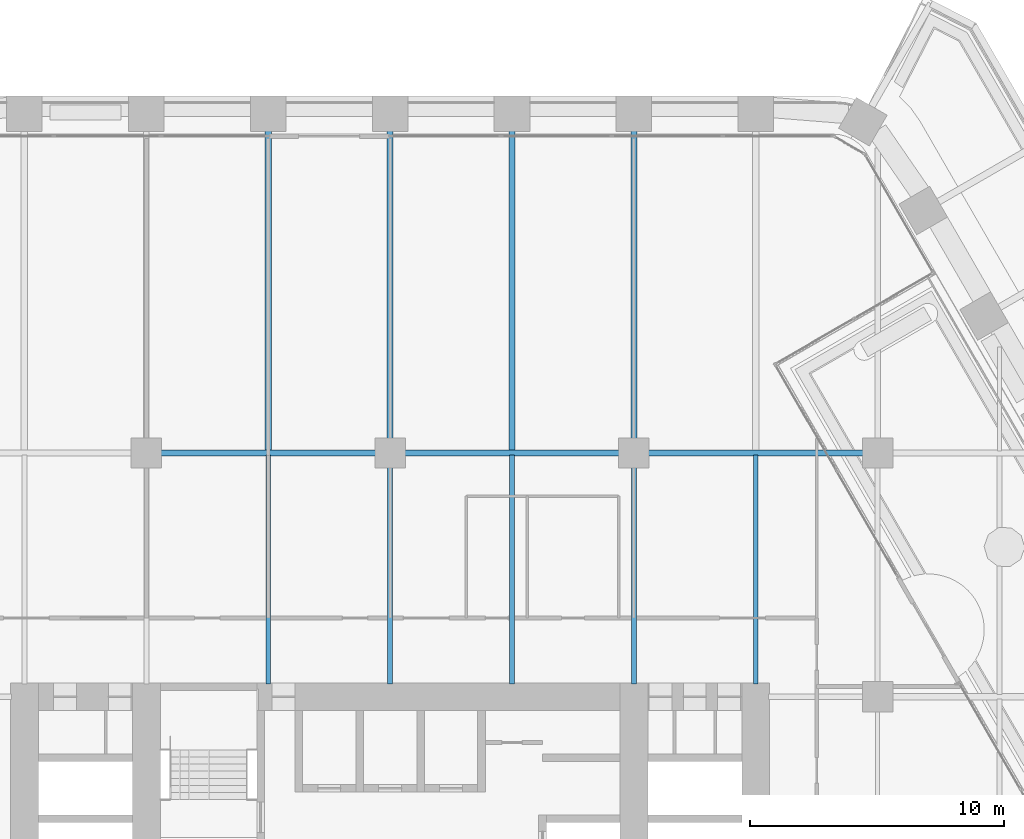
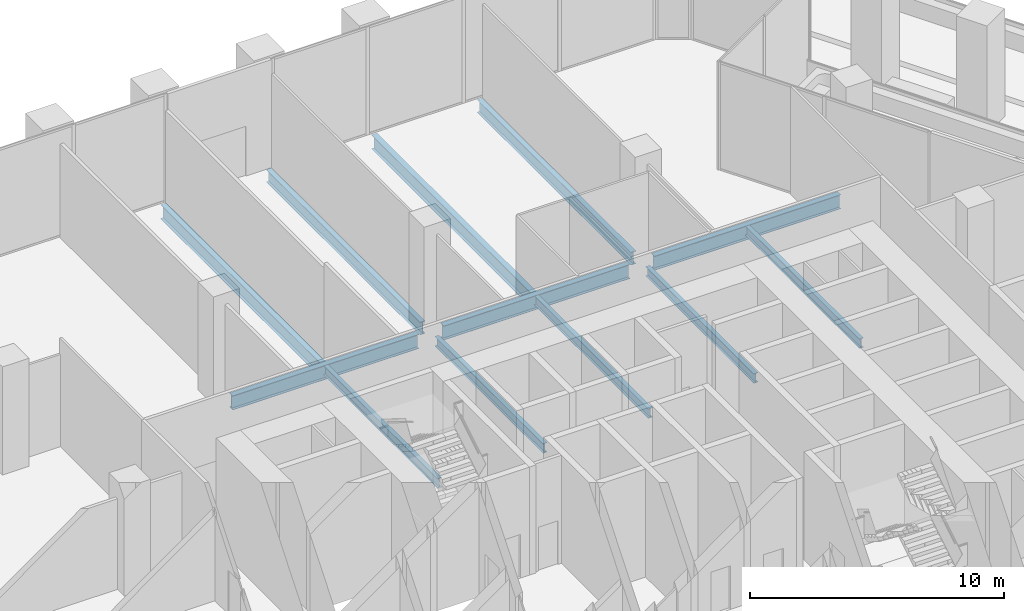
# One storey, part 11 of 32: 12 beams.
"""IFC4 building model written with IfcOpenShell, lengths in metres."""

from ifc_helpers import new_model, si_unit, direction, frame, origin, origin_2d, place, context, subcontext, project, spatial, i_section, extrude, material, material_profile, profile_set, type_object, element, save


model = new_model("IFC4")

# Units and contexts
model_context = context("Model", 3, precision=1e-05, world=origin(), true_north=direction((0.0, 1.0)))
body_context = subcontext(model_context, "Body", "Model", "MODEL_VIEW")
ifc_project = project(units=[si_unit("LENGTHUNIT", "METRE"), si_unit("AREAUNIT", "SQUARE_METRE"), si_unit("VOLUMEUNIT", "CUBIC_METRE"), si_unit("PLANEANGLEUNIT", "RADIAN"), si_unit("MASSUNIT", "GRAM", prefix="KILO")], contexts=[model_context])

# Site, building, storey
site_placement = place(None, origin())
site = spatial("IfcSite", under=ifc_project, at=site_placement, CompositionType="ELEMENT")
building_placement = place(site_placement, origin())
building = spatial("IfcBuilding", under=site, at=building_placement, Name="Kolab Exchange Tower", CompositionType="ELEMENT")
storey_placement = place(building_placement, frame((0.0, 0.0, 60.89990234375)))
storey = spatial("IfcBuildingStorey", under=building, at=storey_placement, Name="L11", CompositionType="ELEMENT", Elevation=60.89990234375)

# Beams
ifc_material = material(Name="Steel S355", Category="steel")
ifc_material_profile_1 = material_profile(ifc_material, i_section(OverallWidth=0.18994140625, OverallDepth=0.45703125, WebThickness=0.009033203125, FlangeThickness=0.014404296875, at=origin_2d()), Name="W460X74")
ifc_profile_set_1 = profile_set([ifc_material_profile_1], Name="Steel S355")
beam_type_1 = type_object("IfcBeamType", Name="FLOOR BEAM W460X74", PredefinedType="BEAM", material=ifc_profile_set_1)
beam_1_placement = place(storey_placement, frame((-4.800048828125, 10.110107421875, -0.478515625), z_axis=(0.0, 1.0, 0.0), x_axis=(-1.0, 0.0, 0.0)))
element("IfcBeam", 1, at=beam_1_placement, inside=storey, type_object=beam_type_1, Name="beam/L11/fr/028", PredefinedType="BEAM", context=body_context, shape_type="SweptSolid", body=[
    extrude(i_section(OverallWidth=0.18994140625, OverallDepth=0.45703125, WebThickness=0.009033203125, FlangeThickness=0.014404296875, at=origin_2d()), origin(), (0.0, 0.0, 1.0), 9.0029296875),
])
beam_2_placement = place(storey_placement, frame((0.0, 10.110107421875, -0.478515625), z_axis=(0.0, 1.0, 0.0), x_axis=(-1.0, 0.0, 0.0)))
element("IfcBeam", 2, at=beam_2_placement, inside=storey, type_object=beam_type_1, Name="beam/L11/fr/032", PredefinedType="BEAM", context=body_context, shape_type="SweptSolid", body=[
    extrude(i_section(OverallWidth=0.18994140625, OverallDepth=0.45703125, WebThickness=0.009033203125, FlangeThickness=0.014404296875, at=origin_2d()), origin(), (0.0, 0.0, 1.0), 8.52978515625),
])
beam_3_placement = place(storey_placement, frame((4.800048828125, 10.110107421875, -0.478515625), z_axis=(0.0, 1.0, 0.0), x_axis=(-1.0, 0.0, 0.0)))
element("IfcBeam", 3, at=beam_3_placement, inside=storey, type_object=beam_type_1, Name="beam/L11/fr/036", PredefinedType="BEAM", context=body_context, shape_type="SweptSolid", body=[
    extrude(i_section(OverallWidth=0.18994140625, OverallDepth=0.45703125, WebThickness=0.009033203125, FlangeThickness=0.014404296875, at=origin_2d()), origin(), (0.0, 0.0, 1.0), 9.0029296875),
])
beam_4_placement = place(storey_placement, frame((9.60009765625, 10.110107421875, -0.478515625), z_axis=(0.0, 1.0, 0.0), x_axis=(-1.0, 0.0, 0.0)))
element("IfcBeam", 4, at=beam_4_placement, inside=storey, type_object=beam_type_1, Name="beam/L11/fr/040", PredefinedType="BEAM", context=body_context, shape_type="SweptSolid", body=[
    extrude(i_section(OverallWidth=0.18994140625, OverallDepth=0.45703125, WebThickness=0.009033203125, FlangeThickness=0.014404296875, at=origin_2d()), origin(), (0.0, 0.0, 1.0), 8.52978515625),
])
beam_5_placement = place(storey_placement, frame((14.39990234375, 10.110107421875, -0.478515625), z_axis=(0.0, 1.0, 0.0), x_axis=(-1.0, 0.0, 0.0)))
element("IfcBeam", 5, at=beam_5_placement, inside=storey, type_object=beam_type_1, Name="beam/L11/fr/044", PredefinedType="BEAM", context=body_context, shape_type="SweptSolid", body=[
    extrude(i_section(OverallWidth=0.18994140625, OverallDepth=0.45703125, WebThickness=0.009033203125, FlangeThickness=0.014404296875, at=origin_2d()), origin(), (0.0, 0.0, 1.0), 9.0029296875),
])
ifc_material_profile_2 = material_profile(ifc_material, i_section(OverallWidth=0.22802734375, OverallDepth=0.60791015625, WebThickness=0.01123046875, FlangeThickness=0.017333984375, at=origin_2d()), Name="W610X113")
ifc_profile_set_2 = profile_set([ifc_material_profile_2], Name="Steel S355")
beam_type_2 = type_object("IfcBeamType", Name="FLOOR BEAM W610X113", PredefinedType="BEAM", material=ifc_profile_set_2)
for number, where, z_axis, x_axis, name in (
    (6, (0.0, 19.760009765625, -0.553955078125), (0.0, 1.0, 0.0), (-1.0, 0.0, 0.0), "beam/L11/fr/033"),
    (7, (9.60009765625, 19.760009765625, -0.553955078125), (0.0, 1.0, 0.0), (-1.0, 0.0, 0.0), "beam/L11/fr/041"),
):
    element("IfcBeam", number, at=place(storey_placement, frame(where, z_axis=z_axis, x_axis=x_axis)), inside=storey, type_object=beam_type_2, Name=name, PredefinedType="BEAM", context=body_context, shape_type="SweptSolid", body=[
        extrude(i_section(OverallWidth=0.22802734375, OverallDepth=0.60791015625, WebThickness=0.01123046875, FlangeThickness=0.017333984375, at=origin_2d()), origin(), (0.0, 0.0, 1.0), 12.135498046875),
    ])
ifc_material_profile_3 = material_profile(ifc_material, i_section(OverallWidth=0.25390625, OverallDepth=0.68408203125, WebThickness=0.012451171875, FlangeThickness=0.018798828125, at=origin_2d()), Name="W690X140")
ifc_profile_set_3 = profile_set([ifc_material_profile_3], Name="Steel S355")
beam_type_3 = type_object("IfcBeamType", Name="FLOOR BEAM W690X140", PredefinedType="BEAM", material=ifc_profile_set_3)
for number, where, z_axis, x_axis, name in (
    (8, (-4.800048828125, 19.287109375, -0.591796875), (0.0, 1.0, 0.0), (-1.0, 0.0, 0.0), "beam/L11/fr/029"),
    (9, (4.800048828125, 19.287109375, -0.591796875), (0.0, 1.0, 0.0), (-1.0, 0.0, 0.0), "beam/L11/fr/037"),
):
    element("IfcBeam", number, at=place(storey_placement, frame(where, z_axis=z_axis, x_axis=x_axis)), inside=storey, type_object=beam_type_3, Name=name, PredefinedType="BEAM", context=body_context, shape_type="SweptSolid", body=[
        extrude(i_section(OverallWidth=0.25390625, OverallDepth=0.68408203125, WebThickness=0.012451171875, FlangeThickness=0.018798828125, at=origin_2d()), origin(), (0.0, 0.0, 1.0), 12.6083984375),
    ])
ifc_material_profile_4 = material_profile(ifc_material, i_section(OverallWidth=0.25390625, OverallDepth=0.68408203125, WebThickness=0.012451171875, FlangeThickness=0.018798828125, at=origin_2d()), Name="W690X140")
ifc_profile_set_4 = profile_set([ifc_material_profile_4], Name="Steel S355")
beam_type_4 = type_object("IfcBeamType", Name="FLOOR GIRDER W690X140", PredefinedType="BEAM", material=ifc_profile_set_4)
for number, where, z_axis, x_axis, name in (
    (10, (-9.0400390625, 19.199951171875, -0.591796875), (1.0, 0.0, 0.0), (0.0, 1.0, 0.0), "beam/L11/gd/012"),
    (11, (0.56005859375, 19.199951171875, -0.591796875), (1.0, 0.0, 0.0), (0.0, 1.0, 0.0), "beam/L11/gd/014"),
    (12, (10.159912109375, 19.199951171875, -0.591796875), (1.0, 0.0, 0.0), (0.0, 1.0, 0.0), "beam/L11/gd/016"),
):
    element("IfcBeam", number, at=place(storey_placement, frame(where, z_axis=z_axis, x_axis=x_axis)), inside=storey, type_object=beam_type_4, Name=name, PredefinedType="BEAM", context=body_context, shape_type="SweptSolid", body=[
        extrude(i_section(OverallWidth=0.25390625, OverallDepth=0.68408203125, WebThickness=0.012451171875, FlangeThickness=0.018798828125, at=origin_2d()), origin(), (0.0, 0.0, 1.0), 8.47998046875),
    ])

save(model, "model.ifc")
